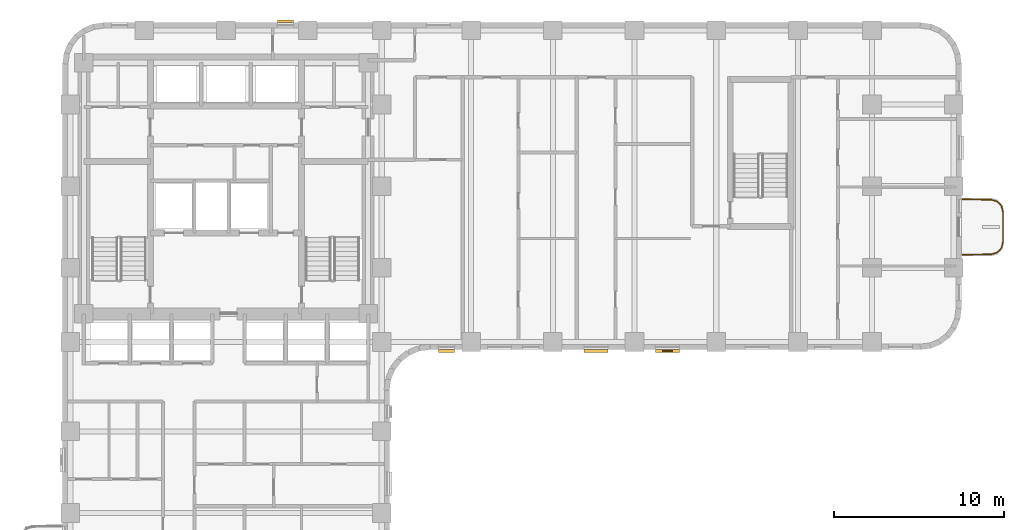
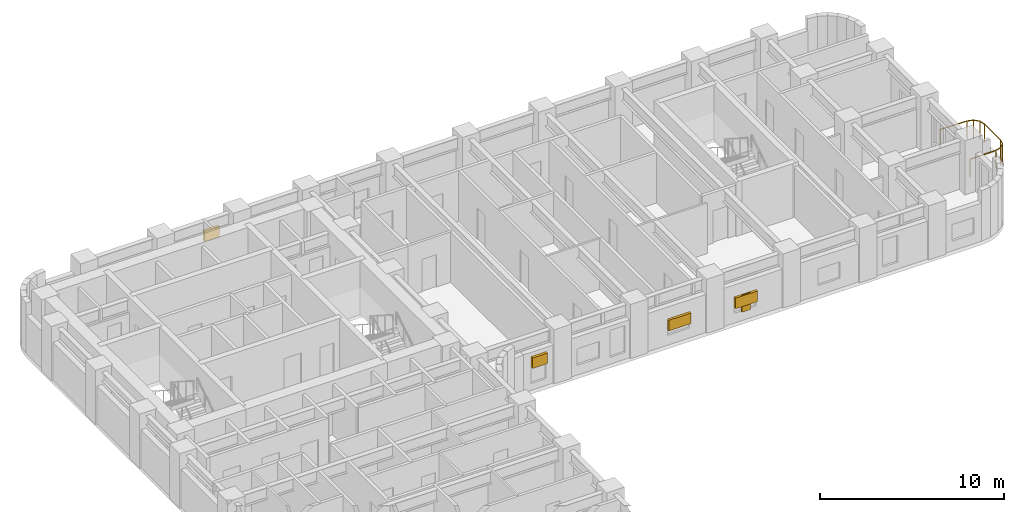
# One storey, part 10 of 11: 5 shading devices, 1 railing.
"""IFC4 building model written with IfcOpenShell, lengths in metres."""

from ifc_helpers import new_model, si_unit, direction, frame, origin, origin_2d, place, context, subcontext, project, spatial, rectangle, extrude, material, type_object, element, save


model = new_model("IFC4")

# Units and contexts
model_context = context("Model", 3, precision=1e-05, world=origin(), true_north=direction((0.0, 1.0)))
body_context = subcontext(model_context, "Body", "Model", "MODEL_VIEW")
ifc_project = project(units=[si_unit("LENGTHUNIT", "METRE"), si_unit("AREAUNIT", "SQUARE_METRE"), si_unit("VOLUMEUNIT", "CUBIC_METRE"), si_unit("PLANEANGLEUNIT", "RADIAN"), si_unit("MASSUNIT", "GRAM", prefix="KILO")], contexts=[model_context])

# Site, building, storey
site_placement = place(None, origin())
site = spatial("IfcSite", under=ifc_project, at=site_placement, CompositionType="ELEMENT")
building_placement = place(site_placement, origin())
building = spatial("IfcBuilding", under=site, at=building_placement, Name="Orvandelia Arch Residences", CompositionType="ELEMENT")
storey_placement = place(building_placement, frame((0.0, 0.0, 89.800048828125)))
storey = spatial("IfcBuildingStorey", under=building, at=storey_placement, Name="L23", CompositionType="ELEMENT", Elevation=89.800048828125)

# Railing
ifc_material_1 = material(Name="Marine-Grade Stainless Steel 316", Category="steel")
railing_type = type_object("IfcRailingType", Name="GRD-BAL-1200", PredefinedType="BALUSTRADE", material=ifc_material_1)
railing_placement = place(storey_placement, frame((57.671875, 34.36962890625, 0.0)))
element("IfcRailing", 1, at=railing_placement, inside=storey, type_object=railing_type, Name="Safety Balustrade Guard GRD-L23-BAL-L23-E1-1", PredefinedType="BALUSTRADE", context=body_context, shape_type="SweptSolid", body=[
    extrude(rectangle(XDim=0.048095703125, YDim=0.048095703125, at=origin_2d()), frame((0.0, 0.0, 1.19580078125), z_axis=(0.999837384468, 0.018033430643, 0.0), x_axis=(-0.018033430643, 0.999837384468, 0.0)), (0.0, 0.0, 1.0), 1.6787109375),
    extrude(rectangle(XDim=0.048095703125, YDim=0.048095703125, at=origin_2d()), frame((1.678466796875, 0.0302734375, 1.19580078125), z_axis=(0.963441293861, 0.267919527627, 0.0), x_axis=(-0.267919527627, 0.963441293861, 0.0)), (0.0, 0.0, 1.0), 0.365478515625),
    extrude(rectangle(XDim=0.048095703125, YDim=0.048095703125, at=origin_2d()), frame((2.030517578125, 0.128173828125, 1.19580078125), z_axis=(0.688296224633, 0.725429739642, 0.0), x_axis=(-0.725429739642, 0.688296224633, 0.0)), (0.0, 0.0, 1.0), 0.3681640625),
    extrude(rectangle(XDim=0.048095703125, YDim=0.048095703125, at=origin_2d()), frame((2.283935546875, 0.395263671875, 1.19580078125), z_axis=(0.221225034864, 0.975222786828, 0.0), x_axis=(-0.975222786828, 0.221225034864, 0.0)), (0.0, 0.0, 1.0), 0.373046875),
    extrude(rectangle(XDim=0.048095703125, YDim=0.048095703125, at=origin_2d()), frame((2.366455078125, 0.759033203125, 1.19580078125), z_axis=(0.0, 1.0, 0.0), x_axis=(-1.0, 0.0, 0.0)), (0.0, 0.0, 1.0), 1.74267578125),
    extrude(rectangle(XDim=0.048095703125, YDim=0.048095703125, at=origin_2d()), frame((2.366455078125, 2.501708984375, 1.19580078125), z_axis=(-0.221225034864, 0.975222786828, 0.0), x_axis=(-0.975222786828, -0.221225034864, 0.0)), (0.0, 0.0, 1.0), 0.373046875),
    extrude(rectangle(XDim=0.048095703125, YDim=0.048095703125, at=origin_2d()), frame((2.283935546875, 2.865478515625, 1.19580078125), z_axis=(-0.688296224633, 0.725429739642, 0.0), x_axis=(-0.725429739642, -0.688296224633, 0.0)), (0.0, 0.0, 1.0), 0.3681640625),
    extrude(rectangle(XDim=0.048095703125, YDim=0.048095703125, at=origin_2d()), frame((2.030517578125, 3.132568359375, 1.19580078125), z_axis=(-0.963441293861, 0.267919527627, 0.0), x_axis=(-0.267919527627, -0.963441293861, 0.0)), (0.0, 0.0, 1.0), 0.365478515625),
    extrude(rectangle(XDim=0.048095703125, YDim=0.048095703125, at=origin_2d()), frame((1.678466796875, 3.23046875, 1.19580078125), z_axis=(-0.999837384468, 0.018033430643, 0.0), x_axis=(-0.018033430643, -0.999837384468, 0.0)), (0.0, 0.0, 1.0), 1.6787109375),
    extrude(rectangle(XDim=0.0419921875, YDim=0.0419921875, at=origin_2d()), origin(), (0.0, 0.0, 1.0), 1.171875),
    extrude(rectangle(XDim=0.0419921875, YDim=0.0419921875, at=origin_2d()), frame((1.678466796875, 0.0302734375, 0.0)), (0.0, 0.0, 1.0), 1.171875),
    extrude(rectangle(XDim=0.0419921875, YDim=0.0419921875, at=origin_2d()), frame((2.030517578125, 0.128173828125, 0.0)), (0.0, 0.0, 1.0), 1.171875),
    extrude(rectangle(XDim=0.0419921875, YDim=0.0419921875, at=origin_2d()), frame((2.283935546875, 0.395263671875, 0.0)), (0.0, 0.0, 1.0), 1.171875),
    extrude(rectangle(XDim=0.0419921875, YDim=0.0419921875, at=origin_2d()), frame((2.366455078125, 0.759033203125, 0.0)), (0.0, 0.0, 1.0), 1.171875),
    extrude(rectangle(XDim=0.0419921875, YDim=0.0419921875, at=origin_2d()), frame((2.366455078125, 2.501708984375, 0.0)), (0.0, 0.0, 1.0), 1.171875),
    extrude(rectangle(XDim=0.0419921875, YDim=0.0419921875, at=origin_2d()), frame((2.283935546875, 2.865478515625, 0.0)), (0.0, 0.0, 1.0), 1.171875),
    extrude(rectangle(XDim=0.0419921875, YDim=0.0419921875, at=origin_2d()), frame((2.030517578125, 3.132568359375, 0.0)), (0.0, 0.0, 1.0), 1.171875),
    extrude(rectangle(XDim=0.0419921875, YDim=0.0419921875, at=origin_2d()), frame((1.678466796875, 3.23046875, 0.0)), (0.0, 0.0, 1.0), 1.171875),
    extrude(rectangle(XDim=0.0419921875, YDim=0.0419921875, at=origin_2d()), frame((0.0, 3.2607421875, 0.0)), (0.0, 0.0, 1.0), 1.171875),
])

# Shading devices
ifc_material_2 = material(Name="Anodised Champagne-Bronze Extruded Aluminium", Category="aluminium")
shading_device_type_1 = type_object("IfcShadingDeviceType", Name="SHD-JALOUSIE-SCREEN", PredefinedType="JALOUSIE", material=ifc_material_2)
shading_device_1_placement = place(storey_placement, frame((17.889892578125, 48.080078125, 1.5498046875), z_axis=(0.0, 0.0, 1.0), x_axis=(1.0, 0.0, 0.0)))
element("IfcShadingDevice", 2, at=shading_device_1_placement, inside=storey, type_object=shading_device_type_1, Name="Bronze Jalousie Sun-Shade L23-001", PredefinedType="JALOUSIE", context=body_context, shape_type="SweptSolid", body=[
    extrude(rectangle(XDim=0.949951171875, YDim=0.159912109375, at=origin_2d()), origin(), (0.0, 0.0, 1.0), 0.699951171875),
])
shading_device_2_placement = place(storey_placement, frame((40.324951171875, 28.719970703125, 1.0498046875), z_axis=(0.0, 0.0, 1.0), x_axis=(-1.0, 0.0, 0.0)))
element("IfcShadingDevice", 3, at=shading_device_2_placement, inside=storey, type_object=shading_device_type_1, Name="Bronze Jalousie Sun-Shade L23-003", PredefinedType="JALOUSIE", context=body_context, shape_type="SweptSolid", body=[
    extrude(rectangle(XDim=1.39990234375, YDim=0.159912109375, at=origin_2d()), origin(), (0.0, 0.0, 1.0), 0.699951171875),
])
shading_device_3_placement = place(storey_placement, frame((27.344970703125, 28.719970703125, 1.5498046875), z_axis=(0.0, 0.0, 1.0), x_axis=(-1.0, 0.0, 0.0)))
element("IfcShadingDevice", 4, at=shading_device_3_placement, inside=storey, type_object=shading_device_type_1, Name="Bronze Jalousie Sun-Shade L23-004", PredefinedType="JALOUSIE", context=body_context, shape_type="SweptSolid", body=[
    extrude(rectangle(XDim=0.949951171875, YDim=0.159912109375, at=origin_2d()), origin(), (0.0, 0.0, 1.0), 0.699951171875),
])
shading_device_4_placement = place(storey_placement, frame((36.139892578125, 28.719970703125, 1.0498046875), z_axis=(0.0, 0.0, 1.0), x_axis=(-1.0, 0.0, 0.0)))
element("IfcShadingDevice", 5, at=shading_device_4_placement, inside=storey, type_object=shading_device_type_1, Name="Bronze Jalousie Sun-Shade L23-005", PredefinedType="JALOUSIE", context=body_context, shape_type="SweptSolid", body=[
    extrude(rectangle(XDim=1.39990234375, YDim=0.159912109375, at=origin_2d()), origin(), (0.0, 0.0, 1.0), 0.699951171875),
])
ifc_material_3 = material(Name="Marine-Grade Perforated Aluminium Storm Shutter", Category="aluminium")
shading_device_type_2 = type_object("IfcShadingDeviceType", Name="SHD-STORM-SHUTTER", PredefinedType="SHUTTER", material=ifc_material_3)
shading_device_5_placement = place(storey_placement, frame((40.324951171875, 28.719970703125, 0.64990234375), z_axis=(0.0, 0.0, 1.0), x_axis=(-1.0, 0.0, 0.0)))
element("IfcShadingDevice", 6, at=shading_device_5_placement, inside=storey, type_object=shading_device_type_2, Name="Operable Typhoon Storm Shutter L23-003", PredefinedType="SHUTTER", context=body_context, shape_type="SweptSolid", body=[
    extrude(rectangle(XDim=0.550048828125, YDim=0.080078125, at=origin_2d()), origin(), (0.0, 0.0, 1.0), 1.10009765625),
])

save(model, "model.ifc")
